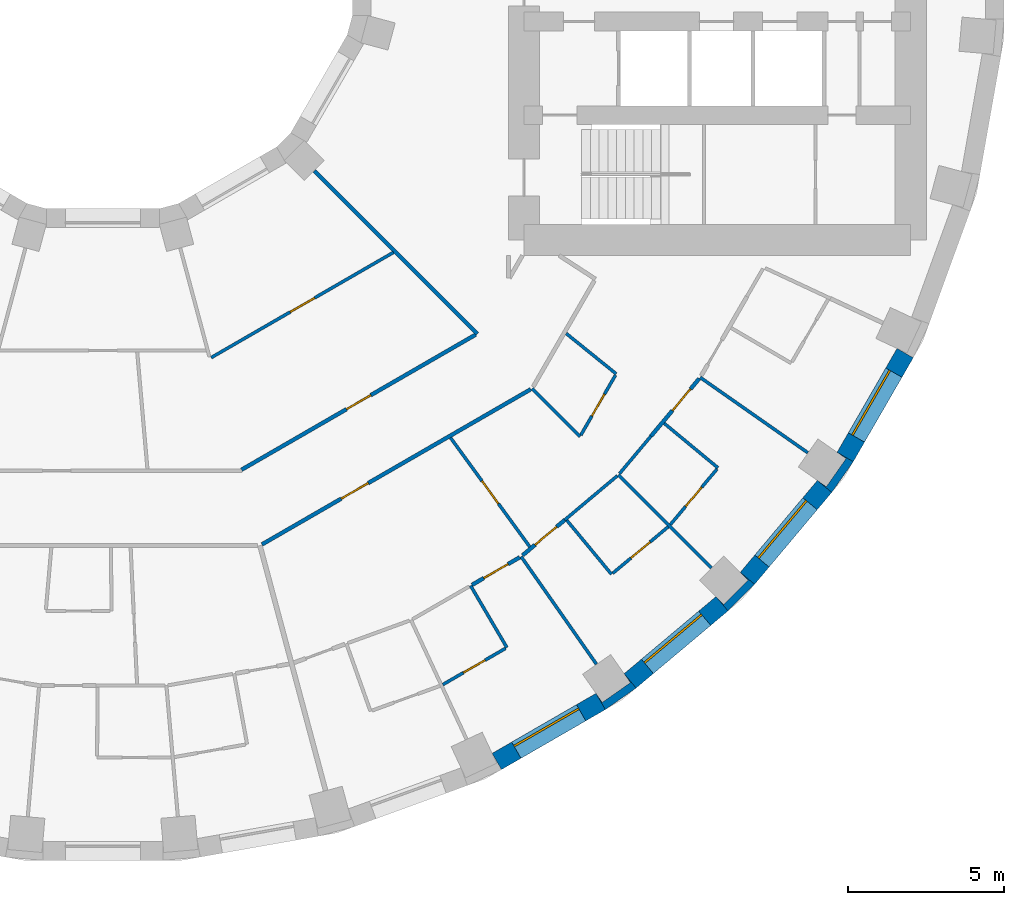
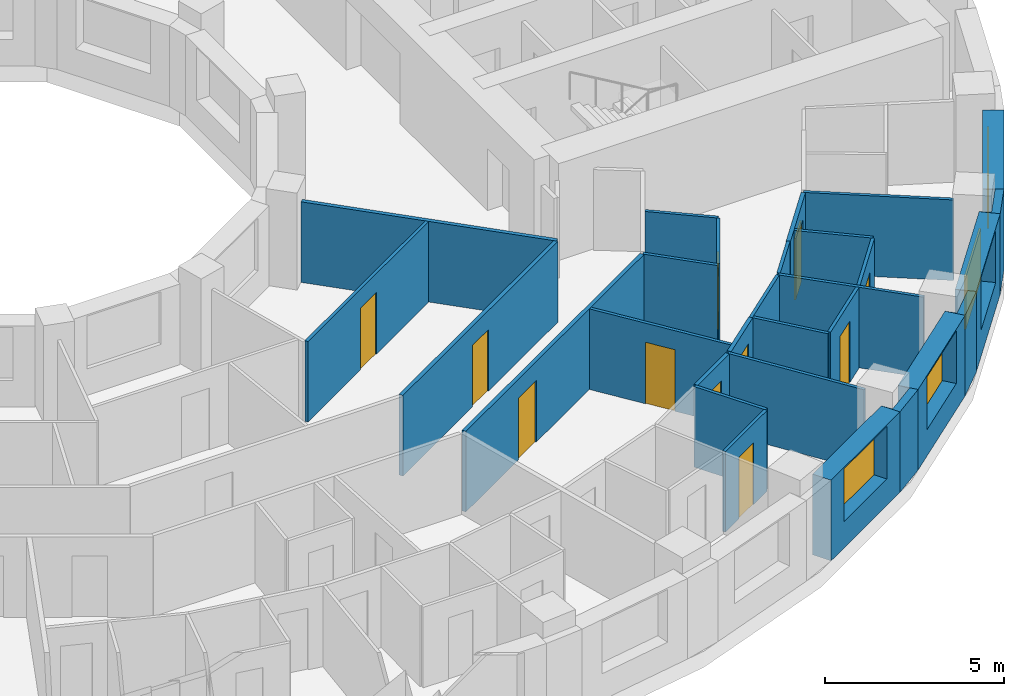
# One storey, part 7 of 15: 29 walls, 11 doors, 4 windows, 15 openings.
"""IFC4 building model written with IfcOpenShell, lengths in metres."""

from ifc_helpers import new_model, si_unit, direction, frame, frame_2d, origin, place, context, subcontext, project, spatial, polyline, rectangle, outline, extrude, material, layer, layer_set, type_object, element, fill, save


model = new_model("IFC4")

# Units and contexts
model_context = context("Model", 3, precision=1e-05, world=origin(), true_north=direction((0.0, 1.0)))
body_context = subcontext(model_context, "Body", "Model", "MODEL_VIEW")
ifc_project = project(units=[si_unit("LENGTHUNIT", "METRE"), si_unit("AREAUNIT", "SQUARE_METRE"), si_unit("VOLUMEUNIT", "CUBIC_METRE"), si_unit("PLANEANGLEUNIT", "RADIAN"), si_unit("MASSUNIT", "GRAM", prefix="KILO")], contexts=[model_context])

# Site, building, storey
site_placement = place(None, origin())
site = spatial("IfcSite", under=ifc_project, at=site_placement, CompositionType="ELEMENT")
building_placement = place(site_placement, origin())
building = spatial("IfcBuilding", under=site, at=building_placement, Name="Saqina Gate Tower", CompositionType="ELEMENT")
storey_placement = place(building_placement, frame((0.0, 0.0, 69.199951171875)))
storey = spatial("IfcBuildingStorey", under=building, at=storey_placement, Name="L19", CompositionType="ELEMENT", Elevation=69.199951171875)

# Walls
ifc_material_1 = material(Name="Brick masonry (red)", Category="masonry")
wall_type_1 = type_object("IfcWallType", Name="BRICK PIER COPING RED", PredefinedType="SOLIDWALL", material=ifc_material_1)
wall_1_placement = place(storey_placement, origin())
element("IfcWall", 1, at=wall_1_placement, inside=storey, type_object=wall_type_1, Name="Pier cap L19 column 31", PredefinedType="SOLIDWALL", context=body_context, shape_type="SweptSolid", body=[
    extrude(outline(polyline([(16.110107421875, -24.0576171875), (17.096923828125, -23.36669921875), (16.711181640625, -22.9072265625), (16.912109375, -23.194091796875), (16.010986328125, -23.8251953125), (15.81005859375, -23.5380859375), (16.110107421875, -24.0576171875)])), origin(), (0.0, 0.0, 1.0), 2.75),
])
wall_2_placement = place(storey_placement, origin())
element("IfcWall", 2, at=wall_2_placement, inside=storey, type_object=wall_type_1, Name="Pier cap L19 column 32", PredefinedType="SOLIDWALL", context=body_context, shape_type="SweptSolid", body=[
    extrude(outline(polyline([(20.894775390625, -20.04296875), (20.43505859375, -19.6572265625), (20.682861328125, -19.905029296875), (19.905029296875, -20.682861328125), (19.6572265625, -20.43505859375), (20.04296875, -20.894775390625), (20.894775390625, -20.04296875)])), origin(), (0.0, 0.0, 1.0), 2.75),
])
wall_3_placement = place(storey_placement, origin())
element("IfcWall", 3, at=wall_3_placement, inside=storey, type_object=wall_type_1, Name="Pier cap L19 column 33", PredefinedType="SOLIDWALL", context=body_context, shape_type="SweptSolid", body=[
    extrude(outline(polyline([(23.36669921875, -17.096923828125), (24.0576171875, -16.110107421875), (23.5380859375, -15.81005859375), (23.8251953125, -16.010986328125), (23.194091796875, -16.912109375), (22.9072265625, -16.711181640625), (23.36669921875, -17.096923828125)])), origin(), (0.0, 0.0, 1.0), 2.75),
])

# Wall, opening, window
ifc_material_2 = material(Name="Brick masonry (red)", Category="masonry")
ifc_layer_1 = layer(ifc_material_2, 0.60009765625)
ifc_layer_set_1 = layer_set([ifc_layer_1], Name="FW-BRICK-RED")
wall_type_2 = type_object("IfcWallType", Name="FW-BRICK-RED", PredefinedType="SOLIDWALL", material=ifc_layer_set_1)
wall_4_placement = place(storey_placement, frame((12.629638671875, -25.720703125, 0.0), z_axis=(0.0, 0.0, 1.0), x_axis=(0.86603124159, 0.499989888488, 0.0)))
wall_4 = element("IfcWall", 4, at=wall_4_placement, inside=storey, type_object=wall_type_2, Name="Facade wall L19 facet 30", PredefinedType="SOLIDWALL", context=body_context, shape_type="SweptSolid", body=[
    extrude(rectangle(XDim=3.845703125, YDim=0.60009765625, at=frame_2d((1.9228515625, 0.0))), origin(), (0.0, 0.0, 1.0), 2.75),
])
opening_1_placement = place(wall_4_placement, frame((0.722900390625, 0.0, 0.89990234375)))
opening_1 = element("IfcOpeningElement", 5, at=opening_1_placement, cuts=wall_4, Name="Opening G05-W19", PredefinedType="OPENING", context=body_context, shape_type="SweptSolid", body=[
    extrude(rectangle(XDim=2.39990234375, YDim=1.800048828125, at=frame_2d((1.199951171875, 0.89990234375))), frame((0.0, 0.31201171875, 0.0), z_axis=(0.0, -1.0, 0.0), x_axis=(1.0, 0.0, 0.0)), (0.0, 0.0, 1.0), 0.6240234375),
])
ifc_material_3 = material(Name="Aluminium glazing", Category="aluminium")
window_type = type_object("IfcWindowType", Name="WN-A", PartitioningType="SINGLE_PANEL", PredefinedType="WINDOW", material=ifc_material_3)
window_1_placement = place(opening_1_placement, origin())
window_1 = element("IfcWindow", 6, at=window_1_placement, inside=storey, type_object=window_type, Name="Window L19 facet 30", OverallHeight=1.800048828125, OverallWidth=2.39990234375, PartitioningType="SINGLE_PANEL", PredefinedType="WINDOW", context=body_context, shape_type="SweptSolid", body=[
    extrude(rectangle(XDim=2.39990234375, YDim=1.800048828125, at=frame_2d((1.199951171875, 0.89990234375))), frame((0.0, 0.179931640625, 0.0), z_axis=(0.0, -1.0, 0.0), x_axis=(1.0, 0.0, 0.0)), (0.0, 0.0, 1.0), 0.06005859375),
])
fill(opening_1, window_1)

wall_5_placement = place(storey_placement, frame((16.904052734375, -23.136962890625, 0.0), z_axis=(0.0, 0.0, 1.0), x_axis=(0.766026164483, 0.642809392687, 0.0)))
wall_5 = element("IfcWall", 7, at=wall_5_placement, inside=storey, type_object=wall_type_2, Name="Facade wall L19 facet 31", PredefinedType="SOLIDWALL", context=body_context, shape_type="SweptSolid", body=[
    extrude(rectangle(XDim=3.845947265625, YDim=0.60009765625, at=frame_2d((1.9228515625, 0.0))), origin(), (0.0, 0.0, 1.0), 2.75),
])
opening_2_placement = place(wall_5_placement, frame((0.722900390625, 0.0, 0.89990234375)))
opening_2 = element("IfcOpeningElement", 8, at=opening_2_placement, cuts=wall_5, Name="Opening G05-W20", PredefinedType="OPENING", context=body_context, shape_type="SweptSolid", body=[
    extrude(rectangle(XDim=2.39990234375, YDim=1.800048828125, at=frame_2d((1.199951171875, 0.89990234375))), frame((0.0, 0.31201171875, 0.0), z_axis=(0.0, -1.0, 0.0), x_axis=(1.0, 0.0, 0.0)), (0.0, 0.0, 1.0), 0.6240234375),
])
window_2_placement = place(opening_2_placement, origin())
window_2 = element("IfcWindow", 9, at=window_2_placement, inside=storey, type_object=window_type, Name="Window L19 facet 31", OverallHeight=1.800048828125, OverallWidth=2.39990234375, PartitioningType="SINGLE_PANEL", PredefinedType="WINDOW", context=body_context, shape_type="SweptSolid", body=[
    extrude(rectangle(XDim=2.39990234375, YDim=1.800048828125, at=frame_2d((1.199951171875, 0.89990234375))), frame((0.0, 0.179931640625, 0.0), z_axis=(0.0, -1.0, 0.0), x_axis=(1.0, 0.0, 0.0)), (0.0, 0.0, 1.0), 0.06005859375),
])
fill(opening_2, window_2)

wall_6_placement = place(storey_placement, frame((20.664794921875, -19.85009765625, 0.0), z_axis=(0.0, 0.0, 1.0), x_axis=(0.642809392687, 0.766026164483, 0.0)))
wall_6 = element("IfcWall", 10, at=wall_6_placement, inside=storey, type_object=wall_type_2, Name="Facade wall L19 facet 32", PredefinedType="SOLIDWALL", context=body_context, shape_type="SweptSolid", body=[
    extrude(rectangle(XDim=3.845947265625, YDim=0.60009765625, at=frame_2d((1.9228515625, 0.0))), origin(), (0.0, 0.0, 1.0), 2.75),
])
opening_3_placement = place(wall_6_placement, frame((0.722900390625, 0.0, 0.89990234375)))
opening_3 = element("IfcOpeningElement", 11, at=opening_3_placement, cuts=wall_6, Name="Opening G05-W21", PredefinedType="OPENING", context=body_context, shape_type="SweptSolid", body=[
    extrude(rectangle(XDim=2.39990234375, YDim=1.800048828125, at=frame_2d((1.199951171875, 0.89990234375))), frame((0.0, 0.31201171875, 0.0), z_axis=(0.0, -1.0, 0.0), x_axis=(1.0, 0.0, 0.0)), (0.0, 0.0, 1.0), 0.6240234375),
])
window_3_placement = place(opening_3_placement, origin())
window_3 = element("IfcWindow", 12, at=window_3_placement, inside=storey, type_object=window_type, Name="Window L19 facet 32", OverallHeight=1.800048828125, OverallWidth=2.39990234375, PartitioningType="SINGLE_PANEL", PredefinedType="WINDOW", context=body_context, shape_type="SweptSolid", body=[
    extrude(rectangle(XDim=2.39990234375, YDim=1.800048828125, at=frame_2d((1.199951171875, 0.89990234375))), frame((0.0, 0.179931640625, 0.0), z_axis=(0.0, -1.0, 0.0), x_axis=(1.0, 0.0, 0.0)), (0.0, 0.0, 1.0), 0.06005859375),
])
fill(opening_3, window_3)

wall_7_placement = place(storey_placement, frame((23.7978515625, -15.960205078125, 0.0), z_axis=(0.0, 0.0, 1.0), x_axis=(0.499989888488, 0.86603124159, 0.0)))
wall_7 = element("IfcWall", 13, at=wall_7_placement, inside=storey, type_object=wall_type_2, Name="Facade wall L19 facet 33", PredefinedType="SOLIDWALL", context=body_context, shape_type="SweptSolid", body=[
    extrude(rectangle(XDim=3.845703125, YDim=0.60009765625, at=frame_2d((1.9228515625, 0.0))), origin(), (0.0, 0.0, 1.0), 2.75),
])
opening_4_placement = place(wall_7_placement, frame((0.722900390625, 0.0, 0.89990234375)))
opening_4 = element("IfcOpeningElement", 14, at=opening_4_placement, cuts=wall_7, Name="Opening G05-W22", PredefinedType="OPENING", context=body_context, shape_type="SweptSolid", body=[
    extrude(rectangle(XDim=2.39990234375, YDim=1.800048828125, at=frame_2d((1.199951171875, 0.89990234375))), frame((0.0, 0.31201171875, 0.0), z_axis=(0.0, -1.0, 0.0), x_axis=(1.0, 0.0, 0.0)), (0.0, 0.0, 1.0), 0.6240234375),
])
window_4_placement = place(opening_4_placement, origin())
window_4 = element("IfcWindow", 15, at=window_4_placement, inside=storey, type_object=window_type, Name="Window L19 facet 33", OverallHeight=1.800048828125, OverallWidth=2.39990234375, PartitioningType="SINGLE_PANEL", PredefinedType="WINDOW", context=body_context, shape_type="SweptSolid", body=[
    extrude(rectangle(XDim=2.39990234375, YDim=1.800048828125, at=frame_2d((1.199951171875, 0.89990234375))), frame((0.0, 0.179931640625, 0.0), z_axis=(0.0, -1.0, 0.0), x_axis=(1.0, 0.0, 0.0)), (0.0, 0.0, 1.0), 0.06005859375),
])
fill(opening_4, window_4)

# Walls
ifc_material_4 = material(Name="Gypsum board on steel studs, 100 mm", Category="steel")
ifc_layer_2 = layer(ifc_material_4, 0.10009765625)
ifc_layer_set_2 = layer_set([ifc_layer_2], Name="PARTITION 100")
wall_type_3 = type_object("IfcWallType", Name="PARTITION 100", PredefinedType="PARTITIONING", material=ifc_layer_set_2)
wall_8_placement = place(storey_placement, frame((11.7900390625, -20.0859375, 0.0), z_axis=(0.0, 0.0, 1.0), x_axis=(0.506212585002, -0.862408730699, 0.0)))
element("IfcWall", 16, at=wall_8_placement, inside=storey, type_object=wall_type_3, Name="PARTITION PW3-23", PredefinedType="PARTITIONING", context=body_context, shape_type="SweptSolid", body=[
    extrude(rectangle(XDim=2.299560546875, YDim=0.10009765625, at=frame_2d((1.14990234375, 0.0))), origin(), (0.0, 0.0, 1.0), 2.75),
])
wall_9_placement = place(storey_placement, frame((13.408935546875, -19.15087890625, 0.0), z_axis=(0.0, 0.0, 1.0), x_axis=(0.573446781639, -0.819242814206, 0.0)))
element("IfcWall", 17, at=wall_9_placement, inside=storey, type_object=wall_type_3, Name="PARTITION PW3-25", PredefinedType="PARTITIONING", context=body_context, shape_type="SweptSolid", body=[
    extrude(rectangle(XDim=4.21142578125, YDim=0.10009765625, at=frame_2d((2.105712890625, 0.0))), origin(), (0.0, 0.0, 1.0), 2.75),
])

# Wall, opening, door
wall_10_placement = place(storey_placement, frame((11.147705078125, -15.344482421875, 0.0), z_axis=(0.0, 0.0, 1.0), x_axis=(0.587899330934, -0.8089340991, 0.0)))
wall_10 = element("IfcWall", 18, at=wall_10_placement, inside=storey, type_object=wall_type_3, Name="PARTITION PW3-26", PredefinedType="PARTITIONING", context=body_context, shape_type="SweptSolid", body=[
    extrude(rectangle(XDim=4.317626953125, YDim=0.10009765625, at=frame_2d((2.15869140625, 0.0))), origin(), (0.0, 0.0, 1.0), 2.75),
])
opening_5_placement = place(wall_10_placement, frame((1.708984375, 0.0, 0.0)))
opening_5 = element("IfcOpeningElement", 19, at=opening_5_placement, cuts=wall_10, Name="Opening G05-D61", PredefinedType="OPENING", context=body_context, shape_type="SweptSolid", body=[
    extrude(rectangle(XDim=0.89990234375, YDim=2.10009765625, at=frame_2d((0.449951171875, 1.050048828125))), frame((0.0, 0.06201171875, 0.0), z_axis=(0.0, -1.0, 0.0), x_axis=(1.0, 0.0, 0.0)), (0.0, 0.0, 1.0), 0.1240234375),
])
ifc_material_5 = material(Name="Timber door leaf, 900 mm", Category="wood")
door_type_1 = type_object("IfcDoorType", Name="DOOR 900 TIMBER", OperationType="SINGLE_SWING_LEFT", PredefinedType="DOOR", material=ifc_material_5)
door_1_placement = place(opening_5_placement, origin())
door_1 = element("IfcDoor", 20, at=door_1_placement, inside=storey, type_object=door_type_1, Name="DOOR G05-D61", OperationType="SINGLE_SWING_RIGHT", OverallHeight=2.10009765625, OverallWidth=0.89990234375, PredefinedType="DOOR", context=body_context, shape_type="SweptSolid", body=[
    extrude(rectangle(XDim=0.89990234375, YDim=2.10009765625, at=frame_2d((0.449951171875, 1.050048828125))), frame((0.0, 0.02490234375, 0.0), z_axis=(0.0, -1.0, 0.0), x_axis=(1.0, 0.0, 0.0)), (0.0, 0.0, 1.0), 0.050048828125),
])
fill(opening_5, door_1)

# Walls
wall_11_placement = place(storey_placement, frame((14.873779296875, -17.987548828125, 0.0), z_axis=(0.0, 0.0, 1.0), x_axis=(0.637512192465, -0.770440266639, 0.0)))
element("IfcWall", 21, at=wall_11_placement, inside=storey, type_object=wall_type_3, Name="PARTITION PW3-27", PredefinedType="PARTITIONING", context=body_context, shape_type="SweptSolid", body=[
    extrude(rectangle(XDim=2.25, YDim=0.10009765625, at=frame_2d((1.125, 0.0))), origin(), (0.0, 0.0, 1.0), 2.75),
])
wall_12_placement = place(storey_placement, frame((13.762939453125, -13.762939453125, 0.0), z_axis=(0.0, 0.0, 1.0), x_axis=(0.707106781187, -0.707106781187, 0.0)))
element("IfcWall", 22, at=wall_12_placement, inside=storey, type_object=wall_type_3, Name="PARTITION PW3-32", PredefinedType="PARTITIONING", context=body_context, shape_type="SweptSolid", body=[
    extrude(rectangle(XDim=2.173828125, YDim=0.10009765625, at=frame_2d((1.0869140625, 0.0))), origin(), (0.0, 0.0, 1.0), 2.75),
])
wall_13_placement = place(storey_placement, frame((16.531005859375, -16.531005859375, 0.0), z_axis=(0.0, 0.0, 1.0), x_axis=(0.707106781187, -0.707106781187, 0.0)))
element("IfcWall", 23, at=wall_13_placement, inside=storey, type_object=wall_type_3, Name="PARTITION PW3-33", PredefinedType="PARTITIONING", context=body_context, shape_type="SweptSolid", body=[
    extrude(rectangle(XDim=4.211669921875, YDim=0.10009765625, at=frame_2d((2.10595703125, 0.0))), origin(), (0.0, 0.0, 1.0), 2.75),
])
wall_14_placement = place(storey_placement, frame((17.9970703125, -14.8818359375, 0.0), z_axis=(0.0, 0.0, 1.0), x_axis=(0.770479328971, -0.637464982276, 0.0)))
element("IfcWall", 24, at=wall_14_placement, inside=storey, type_object=wall_type_3, Name="PARTITION PW3-37", PredefinedType="PARTITIONING", context=body_context, shape_type="SweptSolid", body=[
    extrude(rectangle(XDim=2.2373046875, YDim=0.10009765625, at=frame_2d((1.11865234375, 0.0))), origin(), (0.0, 0.0, 1.0), 2.75),
])
wall_15_placement = place(storey_placement, frame((14.852783203125, -11.99853515625, 0.0), z_axis=(0.0, 0.0, 1.0), x_axis=(0.777974546864, -0.628295793741, 0.0)))
element("IfcWall", 25, at=wall_15_placement, inside=storey, type_object=wall_type_3, Name="PARTITION PW3-38", PredefinedType="PARTITIONING", context=body_context, shape_type="SweptSolid", body=[
    extrude(rectangle(XDim=2.063232421875, YDim=0.10009765625, at=frame_2d((1.03173828125, 0.0))), origin(), (0.0, 0.0, 1.0), 2.75),
])
wall_16_placement = place(storey_placement, frame((19.15087890625, -13.408935546875, 0.0), z_axis=(0.0, 0.0, 1.0), x_axis=(0.819242814206, -0.573446781639, 0.0)))
element("IfcWall", 26, at=wall_16_placement, inside=storey, type_object=wall_type_3, Name="PARTITION PW3-40", PredefinedType="PARTITIONING", context=body_context, shape_type="SweptSolid", body=[
    extrude(rectangle(XDim=4.21142578125, YDim=0.10009765625, at=frame_2d((2.105712890625, 0.0))), origin(), (0.0, 0.0, 1.0), 2.75),
])

# Wall, opening, door
wall_17_placement = place(storey_placement, frame((10.8994140625, -23.256103515625, 0.0), z_axis=(0.0, 0.0, 1.0), x_axis=(0.865852932048, 0.500298610895, 0.0)))
wall_17 = element("IfcWall", 27, at=wall_17_placement, inside=storey, type_object=wall_type_3, Name="PARTITION PW3-75", PredefinedType="PARTITIONING", context=body_context, shape_type="SweptSolid", body=[
    extrude(rectangle(XDim=2.32275390625, YDim=0.10009765625, at=frame_2d((1.161376953125, 0.0))), origin(), (0.0, 0.0, 1.0), 2.75),
])
opening_6_placement = place(wall_17_placement, frame((0.761474609375, 0.0, 0.0)))
opening_6 = element("IfcOpeningElement", 28, at=opening_6_placement, cuts=wall_17, Name="Opening G05-D57", PredefinedType="OPENING", context=body_context, shape_type="SweptSolid", body=[
    extrude(rectangle(XDim=0.800048828125, YDim=2.10009765625, at=frame_2d((0.39990234375, 1.050048828125))), frame((0.0, 0.06201171875, 0.0), z_axis=(0.0, -1.0, 0.0), x_axis=(1.0, 0.0, 0.0)), (0.0, 0.0, 1.0), 0.1240234375),
])
ifc_material_6 = material(Name="Timber door leaf, 800 mm", Category="wood")
door_type_2 = type_object("IfcDoorType", Name="DOOR 800 TIMBER", OperationType="SINGLE_SWING_LEFT", PredefinedType="DOOR", material=ifc_material_6)
door_2_placement = place(opening_6_placement, frame((0.800048828125, 0.0, 0.0), z_axis=(0.0, 0.0, 1.0), x_axis=(-1.0, 0.0, 0.0)))
door_2 = element("IfcDoor", 29, at=door_2_placement, inside=storey, type_object=door_type_2, Name="DOOR G05-D57", OperationType="SINGLE_SWING_LEFT", OverallHeight=2.10009765625, OverallWidth=0.800048828125, PredefinedType="DOOR", context=body_context, shape_type="SweptSolid", body=[
    extrude(rectangle(XDim=0.800048828125, YDim=2.10009765625, at=frame_2d((0.39990234375, 1.050048828125))), frame((0.0, 0.02490234375, 0.0), z_axis=(0.0, -1.0, 0.0), x_axis=(1.0, 0.0, 0.0)), (0.0, 0.0, 1.0), 0.050048828125),
])
fill(opening_6, door_2)

wall_18_placement = place(storey_placement, frame((3.473388671875, -12.77490234375, 0.0), z_axis=(0.0, 0.0, 1.0), x_axis=(0.866002984226, 0.500038829804, 0.0)))
wall_18 = element("IfcWall", 30, at=wall_18_placement, inside=storey, type_object=wall_type_3, Name="PARTITION PW3-77", PredefinedType="PARTITIONING", context=body_context, shape_type="SweptSolid", body=[
    extrude(rectangle(XDim=6.74658203125, YDim=0.10009765625, at=frame_2d((3.373291015625, 0.0))), origin(), (0.0, 0.0, 1.0), 2.75),
])
opening_7_placement = place(wall_18_placement, frame((2.9296875, 0.0, 0.0)))
opening_7 = element("IfcOpeningElement", 31, at=opening_7_placement, cuts=wall_18, Name="Opening G05-D58", PredefinedType="OPENING", context=body_context, shape_type="SweptSolid", body=[
    extrude(rectangle(XDim=0.89990234375, YDim=2.10009765625, at=frame_2d((0.449951171875, 1.050048828125))), frame((0.0, 0.06201171875, 0.0), z_axis=(0.0, -1.0, 0.0), x_axis=(1.0, 0.0, 0.0)), (0.0, 0.0, 1.0), 0.1240234375),
])
door_3_placement = place(opening_7_placement, frame((0.89990234375, 0.0, 0.0), z_axis=(0.0, 0.0, 1.0), x_axis=(-1.0, 0.0, 0.0)))
door_3 = element("IfcDoor", 32, at=door_3_placement, inside=storey, type_object=door_type_1, Name="DOOR G05-D58", OperationType="SINGLE_SWING_LEFT", OverallHeight=2.10009765625, OverallWidth=0.89990234375, PredefinedType="DOOR", context=body_context, shape_type="SweptSolid", body=[
    extrude(rectangle(XDim=0.89990234375, YDim=2.10009765625, at=frame_2d((0.449951171875, 1.050048828125))), frame((0.0, 0.02490234375, 0.0), z_axis=(0.0, -1.0, 0.0), x_axis=(1.0, 0.0, 0.0)), (0.0, 0.0, 1.0), 0.050048828125),
])
fill(opening_7, door_3)

wall_19_placement = place(storey_placement, frame((16.34619140625, -19.68896484375, 0.0), z_axis=(0.0, 0.0, 1.0), x_axis=(0.766106399864, 0.642713765286, 0.0)))
wall_19 = element("IfcWall", 33, at=wall_19_placement, inside=storey, type_object=wall_type_3, Name="PARTITION PW3-83", PredefinedType="PARTITIONING", context=body_context, shape_type="SweptSolid", body=[
    extrude(rectangle(XDim=2.32275390625, YDim=0.10009765625, at=frame_2d((1.161376953125, 0.0))), origin(), (0.0, 0.0, 1.0), 2.75),
])
opening_8_placement = place(wall_19_placement, frame((0.76123046875, 0.0, 0.0)))
opening_8 = element("IfcOpeningElement", 34, at=opening_8_placement, cuts=wall_19, Name="Opening G05-D63", PredefinedType="OPENING", context=body_context, shape_type="SweptSolid", body=[
    extrude(rectangle(XDim=0.800048828125, YDim=2.10009765625, at=frame_2d((0.39990234375, 1.050048828125))), frame((0.0, 0.06201171875, 0.0), z_axis=(0.0, -1.0, 0.0), x_axis=(1.0, 0.0, 0.0)), (0.0, 0.0, 1.0), 0.1240234375),
])
door_4_placement = place(opening_8_placement, frame((0.800048828125, 0.0, 0.0), z_axis=(0.0, 0.0, 1.0), x_axis=(-1.0, 0.0, 0.0)))
door_4 = element("IfcDoor", 35, at=door_4_placement, inside=storey, type_object=door_type_2, Name="DOOR G05-D63", OperationType="SINGLE_SWING_LEFT", OverallHeight=2.10009765625, OverallWidth=0.800048828125, PredefinedType="DOOR", context=body_context, shape_type="SweptSolid", body=[
    extrude(rectangle(XDim=0.800048828125, YDim=2.10009765625, at=frame_2d((0.39990234375, 1.050048828125))), frame((0.0, 0.02490234375, 0.0), z_axis=(0.0, -1.0, 0.0), x_axis=(1.0, 0.0, 0.0)), (0.0, 0.0, 1.0), 0.050048828125),
])
fill(opening_8, door_4)

# Wall
wall_20_placement = place(storey_placement, frame((14.8037109375, -17.981201171875, 0.0), z_axis=(0.0, 0.0, 1.0), x_axis=(0.765874949637, 0.642989550085, 0.0)))
element("IfcWall", 36, at=wall_20_placement, inside=storey, type_object=wall_type_3, Name="PARTITION PW3-84", PredefinedType="PARTITIONING", context=body_context, shape_type="SweptSolid", body=[
    extrude(rectangle(XDim=2.205322265625, YDim=0.10009765625, at=frame_2d((1.1025390625, 0.0))), origin(), (0.0, 0.0, 1.0), 2.75),
])

# Wall, opening, door
wall_21_placement = place(storey_placement, frame((18.196044921875, -18.125732421875, 0.0), z_axis=(0.0, 0.0, 1.0), x_axis=(0.642713765286, 0.766106399864, 0.0)))
wall_21 = element("IfcWall", 37, at=wall_21_placement, inside=storey, type_object=wall_type_3, Name="PARTITION PW3-89", PredefinedType="PARTITIONING", context=body_context, shape_type="SweptSolid", body=[
    extrude(rectangle(XDim=2.32275390625, YDim=0.10009765625, at=frame_2d((1.161376953125, 0.0))), origin(), (0.0, 0.0, 1.0), 2.75),
])
opening_9_placement = place(wall_21_placement, frame((0.76123046875, 0.0, 0.0)))
opening_9 = element("IfcOpeningElement", 38, at=opening_9_placement, cuts=wall_21, Name="Opening G05-D64", PredefinedType="OPENING", context=body_context, shape_type="SweptSolid", body=[
    extrude(rectangle(XDim=0.800048828125, YDim=2.10009765625, at=frame_2d((0.39990234375, 1.050048828125))), frame((0.0, 0.06201171875, 0.0), z_axis=(0.0, -1.0, 0.0), x_axis=(1.0, 0.0, 0.0)), (0.0, 0.0, 1.0), 0.1240234375),
])
door_5_placement = place(opening_9_placement, frame((0.800048828125, 0.0, 0.0), z_axis=(0.0, 0.0, 1.0), x_axis=(-1.0, 0.0, 0.0)))
door_5 = element("IfcDoor", 39, at=door_5_placement, inside=storey, type_object=door_type_2, Name="DOOR G05-D64", OperationType="SINGLE_SWING_LEFT", OverallHeight=2.10009765625, OverallWidth=0.800048828125, PredefinedType="DOOR", context=body_context, shape_type="SweptSolid", body=[
    extrude(rectangle(XDim=0.800048828125, YDim=2.10009765625, at=frame_2d((0.39990234375, 1.050048828125))), frame((0.0, 0.02490234375, 0.0), z_axis=(0.0, -1.0, 0.0), x_axis=(1.0, 0.0, 0.0)), (0.0, 0.0, 1.0), 0.050048828125),
])
fill(opening_9, door_5)

# Wall
wall_22_placement = place(storey_placement, frame((16.563232421875, -16.49267578125, 0.0), z_axis=(0.0, 0.0, 1.0), x_axis=(0.642980448463, 0.765882590802, 0.0)))
element("IfcWall", 40, at=wall_22_placement, inside=storey, type_object=wall_type_3, Name="PARTITION PW3-90", PredefinedType="PARTITIONING", context=body_context, shape_type="SweptSolid", body=[
    extrude(rectangle(XDim=1.5693359375, YDim=0.10009765625, at=frame_2d((0.78466796875, 0.0))), origin(), (0.0, 0.0, 1.0), 2.75),
])

# Wall, opening, door
wall_23_placement = place(storey_placement, frame((15.324951171875, -15.256591796875, 0.0), z_axis=(0.0, 0.0, 1.0), x_axis=(0.500228022419, 0.865893714948, 0.0)))
wall_23 = element("IfcWall", 41, at=wall_23_placement, inside=storey, type_object=wall_type_3, Name="PARTITION PW3-98", PredefinedType="PARTITIONING", context=body_context, shape_type="SweptSolid", body=[
    extrude(rectangle(XDim=2.21533203125, YDim=0.10009765625, at=frame_2d((1.107666015625, 0.0))), origin(), (0.0, 0.0, 1.0), 2.75),
])
opening_10_placement = place(wall_23_placement, frame((0.707763671875, 0.0, 0.0)))
opening_10 = element("IfcOpeningElement", 42, at=opening_10_placement, cuts=wall_23, Name="Opening G05-D65", PredefinedType="OPENING", context=body_context, shape_type="SweptSolid", body=[
    extrude(rectangle(XDim=0.800048828125, YDim=2.10009765625, at=frame_2d((0.39990234375, 1.050048828125))), frame((0.0, 0.06201171875, 0.0), z_axis=(0.0, -1.0, 0.0), x_axis=(1.0, 0.0, 0.0)), (0.0, 0.0, 1.0), 0.1240234375),
])
door_6_placement = place(opening_10_placement, frame((0.800048828125, 0.0, 0.0), z_axis=(0.0, 0.0, 1.0), x_axis=(-1.0, 0.0, 0.0)))
door_6 = element("IfcDoor", 43, at=door_6_placement, inside=storey, type_object=door_type_2, Name="DOOR G05-D65", OperationType="SINGLE_SWING_LEFT", OverallHeight=2.10009765625, OverallWidth=0.800048828125, PredefinedType="DOOR", context=body_context, shape_type="SweptSolid", body=[
    extrude(rectangle(XDim=0.800048828125, YDim=2.10009765625, at=frame_2d((0.39990234375, 1.050048828125))), frame((0.0, 0.02490234375, 0.0), z_axis=(0.0, -1.0, 0.0), x_axis=(1.0, 0.0, 0.0)), (0.0, 0.0, 1.0), 0.050048828125),
])
fill(opening_10, door_6)

# Wall
ifc_material_7 = material(Name="Gypsum board on steel studs, 125 mm, fire rated", Category="steel")
ifc_layer_3 = layer(ifc_material_7, 0.125)
ifc_layer_set_3 = layer_set([ifc_layer_3], Name="PARTITION EI 30 125")
wall_type_4 = type_object("IfcWallType", Name="PARTITION EI 30 125", PredefinedType="PARTITIONING", material=ifc_layer_set_3)
wall_24_placement = place(storey_placement, frame((6.78271484375, -6.78271484375, 0.0), z_axis=(0.0, 0.0, 1.0), x_axis=(0.707106781187, -0.707106781187, 0.0)))
element("IfcWall", 44, at=wall_24_placement, inside=storey, type_object=wall_type_4, Name="PARTITION PW1-06", PredefinedType="PARTITIONING", context=body_context, shape_type="SweptSolid", body=[
    extrude(rectangle(XDim=7.386962890625, YDim=0.125, at=frame_2d((3.693359375, 0.0))), origin(), (0.0, 0.0, 1.0), 2.75),
])

# Wall, opening, door
wall_25_placement = place(storey_placement, frame((11.833251953125, -20.06103515625, 0.0), z_axis=(0.0, 0.0, 1.0), x_axis=(0.865967311171, 0.500100605862, 0.0)))
wall_25 = element("IfcWall", 45, at=wall_25_placement, inside=storey, type_object=wall_type_4, Name="PARTITION PW1-31", PredefinedType="PARTITIONING", context=body_context, shape_type="SweptSolid", body=[
    extrude(rectangle(XDim=1.769775390625, YDim=0.125, at=frame_2d((0.884765625, 0.0))), origin(), (0.0, 0.0, 1.0), 2.75),
])
opening_11_placement = place(wall_25_placement, frame((0.434814453125, 0.0, 0.0)))
opening_11 = element("IfcOpeningElement", 46, at=opening_11_placement, cuts=wall_25, Name="Opening G05-D60", PredefinedType="OPENING", context=body_context, shape_type="SweptSolid", body=[
    extrude(rectangle(XDim=0.89990234375, YDim=2.10009765625, at=frame_2d((0.449951171875, 1.050048828125))), frame((0.0, 0.074462890625, 0.0), z_axis=(0.0, -1.0, 0.0), x_axis=(1.0, 0.0, 0.0)), (0.0, 0.0, 1.0), 0.14892578125),
])
ifc_material_8 = material(Name="Fire door leaf EI 30, 900 mm")
door_type_3 = type_object("IfcDoorType", Name="DOOR 900 EI 30", OperationType="SINGLE_SWING_LEFT", PredefinedType="DOOR", material=ifc_material_8)
door_7_placement = place(opening_11_placement, origin())
door_7 = element("IfcDoor", 47, at=door_7_placement, inside=storey, type_object=door_type_3, Name="DOOR G05-D60", OperationType="SINGLE_SWING_RIGHT", OverallHeight=2.10009765625, OverallWidth=0.89990234375, PredefinedType="DOOR", context=body_context, shape_type="SweptSolid", body=[
    extrude(rectangle(XDim=0.89990234375, YDim=2.10009765625, at=frame_2d((0.449951171875, 1.050048828125))), frame((0.0, 0.02490234375, 0.0), z_axis=(0.0, -1.0, 0.0), x_axis=(1.0, 0.0, 0.0)), (0.0, 0.0, 1.0), 0.050048828125),
])
fill(opening_11, door_7)

wall_26_placement = place(storey_placement, frame((5.10205078125, -18.762451171875, 0.0), z_axis=(0.0, 0.0, 1.0), x_axis=(0.866071189182, 0.499920688979, 0.0)))
wall_26 = element("IfcWall", 48, at=wall_26_placement, inside=storey, type_object=wall_type_4, Name="PARTITION PW1-32", PredefinedType="PARTITIONING", context=body_context, shape_type="SweptSolid", body=[
    extrude(rectangle(XDim=9.9501953125, YDim=0.125, at=frame_2d((4.97509765625, 0.0))), origin(), (0.0, 0.0, 1.0), 2.75),
])
opening_12_placement = place(wall_26_placement, frame((2.931640625, 0.0, 0.0)))
opening_12 = element("IfcOpeningElement", 49, at=opening_12_placement, cuts=wall_26, Name="Opening G05-D56", PredefinedType="OPENING", context=body_context, shape_type="SweptSolid", body=[
    extrude(rectangle(XDim=1.0, YDim=2.10009765625, at=frame_2d((0.5, 1.050048828125))), frame((0.0, 0.074462890625, 0.0), z_axis=(0.0, -1.0, 0.0), x_axis=(1.0, 0.0, 0.0)), (0.0, 0.0, 1.0), 0.14892578125),
])
ifc_material_9 = material(Name="Fire door leaf EI 30, 1000 mm")
door_type_4 = type_object("IfcDoorType", Name="DOOR 1000 EI 30", OperationType="SINGLE_SWING_LEFT", PredefinedType="DOOR", material=ifc_material_9)
door_8_placement = place(opening_12_placement, frame((1.0, 0.0, 0.0), z_axis=(0.0, 0.0, 1.0), x_axis=(-1.0, 0.0, 0.0)))
door_8 = element("IfcDoor", 50, at=door_8_placement, inside=storey, type_object=door_type_4, Name="DOOR G05-D56", OperationType="SINGLE_SWING_RIGHT", OverallHeight=2.10009765625, OverallWidth=1.0, PredefinedType="DOOR", context=body_context, shape_type="SweptSolid", body=[
    extrude(rectangle(XDim=1.0, YDim=2.10009765625, at=frame_2d((0.5, 1.050048828125))), frame((0.0, 0.02490234375, 0.0), z_axis=(0.0, -1.0, 0.0), x_axis=(1.0, 0.0, 0.0)), (0.0, 0.0, 1.0), 0.050048828125),
])
fill(opening_12, door_8)

wall_27_placement = place(storey_placement, frame((4.4482421875, -16.36865234375, 0.0), z_axis=(0.0, 0.0, 1.0), x_axis=(0.866072505035, 0.499918409365, 0.0)))
wall_27 = element("IfcWall", 51, at=wall_27_placement, inside=storey, type_object=wall_type_4, Name="PARTITION PW1-33", PredefinedType="PARTITIONING", context=body_context, shape_type="SweptSolid", body=[
    extrude(rectangle(XDim=8.6640625, YDim=0.125, at=frame_2d((4.33203125, 0.0))), origin(), (0.0, 0.0, 1.0), 2.75),
])
opening_13_placement = place(wall_27_placement, frame((3.882080078125, 0.0, 0.0)))
opening_13 = element("IfcOpeningElement", 52, at=opening_13_placement, cuts=wall_27, Name="Opening G05-D59", PredefinedType="OPENING", context=body_context, shape_type="SweptSolid", body=[
    extrude(rectangle(XDim=0.89990234375, YDim=2.10009765625, at=frame_2d((0.449951171875, 1.050048828125))), frame((0.0, 0.074462890625, 0.0), z_axis=(0.0, -1.0, 0.0), x_axis=(1.0, 0.0, 0.0)), (0.0, 0.0, 1.0), 0.14892578125),
])
door_9_placement = place(opening_13_placement, origin())
door_9 = element("IfcDoor", 53, at=door_9_placement, inside=storey, type_object=door_type_3, Name="DOOR G05-D59", OperationType="SINGLE_SWING_RIGHT", OverallHeight=2.10009765625, OverallWidth=0.89990234375, PredefinedType="DOOR", context=body_context, shape_type="SweptSolid", body=[
    extrude(rectangle(XDim=0.89990234375, YDim=2.10009765625, at=frame_2d((0.449951171875, 1.050048828125))), frame((0.0, 0.02490234375, 0.0), z_axis=(0.0, -1.0, 0.0), x_axis=(1.0, 0.0, 0.0)), (0.0, 0.0, 1.0), 0.050048828125),
])
fill(opening_13, door_9)

wall_28_placement = place(storey_placement, frame((13.45703125, -19.11083984375, 0.0), z_axis=(0.0, 0.0, 1.0), x_axis=(0.766590701723, 0.642136041686, 0.0)))
wall_28 = element("IfcWall", 54, at=wall_28_placement, inside=storey, type_object=wall_type_4, Name="PARTITION PW1-40", PredefinedType="PARTITIONING", context=body_context, shape_type="SweptSolid", body=[
    extrude(rectangle(XDim=1.757568359375, YDim=0.125, at=frame_2d((0.87890625, 0.0))), origin(), (0.0, 0.0, 1.0), 2.75),
])
opening_14_placement = place(wall_28_placement, frame((0.522705078125, 0.0, 0.0)))
opening_14 = element("IfcOpeningElement", 55, at=opening_14_placement, cuts=wall_28, Name="Opening G05-D62", PredefinedType="OPENING", context=body_context, shape_type="SweptSolid", body=[
    extrude(rectangle(XDim=0.89990234375, YDim=2.10009765625, at=frame_2d((0.449951171875, 1.050048828125))), frame((0.0, 0.074462890625, 0.0), z_axis=(0.0, -1.0, 0.0), x_axis=(1.0, 0.0, 0.0)), (0.0, 0.0, 1.0), 0.14892578125),
])
door_10_placement = place(opening_14_placement, origin())
door_10 = element("IfcDoor", 56, at=door_10_placement, inside=storey, type_object=door_type_3, Name="DOOR G05-D62", OperationType="SINGLE_SWING_LEFT", OverallHeight=2.10009765625, OverallWidth=0.89990234375, PredefinedType="DOOR", context=body_context, shape_type="SweptSolid", body=[
    extrude(rectangle(XDim=0.89990234375, YDim=2.10009765625, at=frame_2d((0.449951171875, 1.050048828125))), frame((0.0, 0.02490234375, 0.0), z_axis=(0.0, -1.0, 0.0), x_axis=(1.0, 0.0, 0.0)), (0.0, 0.0, 1.0), 0.050048828125),
])
fill(opening_14, door_10)

wall_29_placement = place(storey_placement, frame((17.572509765625, -15.291015625, 0.0), z_axis=(0.0, 0.0, 1.0), x_axis=(0.642616104492, 0.766188320354, 0.0)))
wall_29 = element("IfcWall", 57, at=wall_29_placement, inside=storey, type_object=wall_type_4, Name="PARTITION PW1-44", PredefinedType="PARTITIONING", context=body_context, shape_type="SweptSolid", body=[
    extrude(rectangle(XDim=2.406494140625, YDim=0.125, at=frame_2d((1.203125, 0.0))), origin(), (0.0, 0.0, 1.0), 2.75),
])
opening_15_placement = place(wall_29_placement, frame((1.0712890625, 0.0, 0.0)))
opening_15 = element("IfcOpeningElement", 58, at=opening_15_placement, cuts=wall_29, Name="Opening G05-D66", PredefinedType="OPENING", context=body_context, shape_type="SweptSolid", body=[
    extrude(rectangle(XDim=0.89990234375, YDim=2.10009765625, at=frame_2d((0.449951171875, 1.050048828125))), frame((0.0, 0.074462890625, 0.0), z_axis=(0.0, -1.0, 0.0), x_axis=(1.0, 0.0, 0.0)), (0.0, 0.0, 1.0), 0.14892578125),
])
door_11_placement = place(opening_15_placement, origin())
door_11 = element("IfcDoor", 59, at=door_11_placement, inside=storey, type_object=door_type_3, Name="DOOR G05-D66", OperationType="SINGLE_SWING_RIGHT", OverallHeight=2.10009765625, OverallWidth=0.89990234375, PredefinedType="DOOR", context=body_context, shape_type="SweptSolid", body=[
    extrude(rectangle(XDim=0.89990234375, YDim=2.10009765625, at=frame_2d((0.449951171875, 1.050048828125))), frame((0.0, 0.02490234375, 0.0), z_axis=(0.0, -1.0, 0.0), x_axis=(1.0, 0.0, 0.0)), (0.0, 0.0, 1.0), 0.050048828125),
])
fill(opening_15, door_11)

save(model, "model.ifc")
